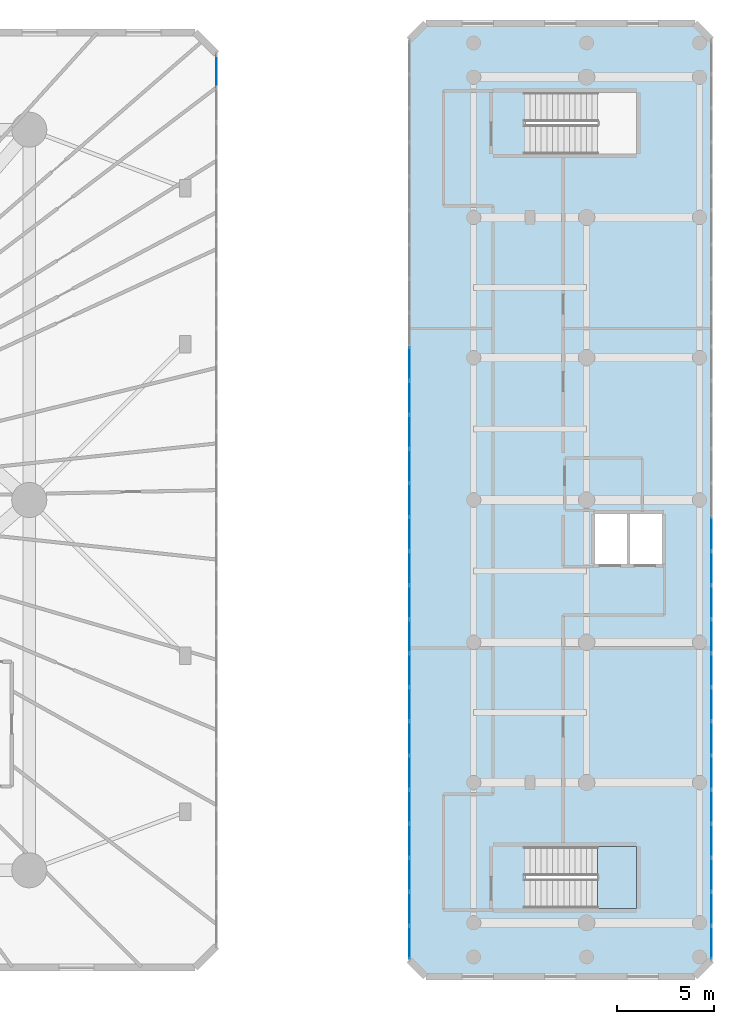
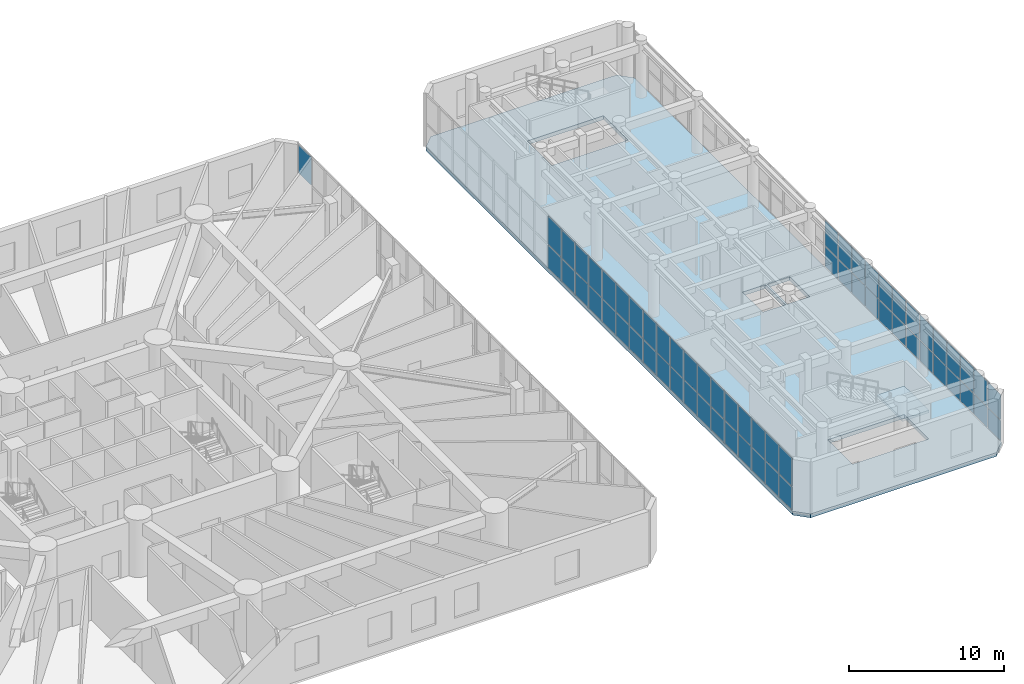
# One storey, part 11 of 26: 63 plates, 2 slabs, 4 elements without a shape of their own.
"""IFC4 building model written with IfcOpenShell, lengths in metres."""

from ifc_helpers import new_model, si_unit, direction, frame, origin, origin_with_axes, origin_2d, place, context, subcontext, project, spatial, polyline, rectangle, outline, extrude, source, transform, mapped, material, layer, layer_set, type_object, element, aggregate, save


model = new_model("IFC4")

# Units and contexts
model_context = context("Model", 3, precision=1e-05, world=origin(), true_north=direction((0.0, 1.0)))
body_context = subcontext(model_context, "Body", "Model", "MODEL_VIEW")
ifc_project = project(units=[si_unit("LENGTHUNIT", "METRE"), si_unit("AREAUNIT", "SQUARE_METRE"), si_unit("VOLUMEUNIT", "CUBIC_METRE"), si_unit("PLANEANGLEUNIT", "RADIAN"), si_unit("MASSUNIT", "GRAM", prefix="KILO")], contexts=[model_context])

# Site, building, storey
site_placement = place(None, origin())
site = spatial("IfcSite", under=ifc_project, at=site_placement, CompositionType="ELEMENT")
building_placement = place(site_placement, origin())
building = spatial("IfcBuilding", under=site, at=building_placement, Name="Karkom Vertical University and Central Library", CompositionType="ELEMENT")
storey_placement = place(building_placement, frame((0.0, 0.0, 4.5)))
storey = spatial("IfcBuildingStorey", under=building, at=storey_placement, Name="L01", CompositionType="ELEMENT", Elevation=4.5)

# Stair, slab
ifc_material_1 = material(Name="Concrete C45/55", Category="concrete")
stair_type = type_object("IfcStairType", Name="INT-STR-ST-LIB", PredefinedType="HALF_TURN_STAIR", material=ifc_material_1)
stair_placement = place(storey_placement, origin())
stair = element("IfcStair", 1, at=stair_placement, inside=storey, type_object=stair_type, Name="Level 01 Central Library South Exit Stair LIB-ST1", PredefinedType="HALF_TURN_STAIR")
ifc_layer_1 = layer(ifc_material_1, 0.199951171875)
ifc_layer_set_1 = layer_set([ifc_layer_1], Name="Concrete C45/55")
slab_type_1 = type_object("IfcSlabType", Name="INT-SLB-LANDING", PredefinedType="LANDING", material=ifc_layer_set_1)
slab_1_placement = place(storey_placement, frame((0.0, 0.0, 2.050048828125)))
slab_1 = element("IfcSlab", 2, at=slab_1_placement, type_object=slab_type_1, Name="LIB-ST1 landing 1", PredefinedType="LANDING", context=body_context, shape_type="SweptSolid", body=[
    extrude(outline(polyline([(75.969970703125, 5.550048828125), (77.949951171875, 5.550048828125), (77.949951171875, 8.7099609375), (75.969970703125, 8.7099609375), (75.969970703125, 5.550048828125)])), origin(), (0.0, 0.0, 1.0), 0.199951171875),
])
aggregate(stair, [slab_1])

# Slab
ifc_layer_2 = layer(ifc_material_1, 0.300048828125)
ifc_layer_set_2 = layer_set([ifc_layer_2], Name="Concrete C45/55")
slab_type_2 = type_object("IfcSlabType", Name="STR-SLB-FLR-300", PredefinedType="FLOOR", material=ifc_layer_set_2)
slab_2_placement = place(storey_placement, frame((0.0, 0.0, -0.300048828125)))
element("IfcSlab", 3, at=slab_2_placement, inside=storey, type_object=slab_type_2, Name="Level 01 Central Library Floor Slab", PredefinedType="FLOOR", context=body_context, shape_type="SweptSolid", body=[
    extrude(outline(polyline([(67.14990234375, 2.050048828125), (80.949951171875, 2.050048828125), (81.800048828125, 2.89990234375), (81.800048828125, 50.10009765625), (80.949951171875, 50.949951171875), (67.14990234375, 50.949951171875), (66.300048828125, 50.10009765625), (66.300048828125, 2.89990234375), (67.14990234375, 2.050048828125)]), holes=[polyline([(72.264892578125, 5.550048828125), (77.949951171875, 5.550048828125), (77.949951171875, 8.7099609375), (72.264892578125, 8.7099609375), (72.264892578125, 5.550048828125)]), polyline([(72.264892578125, 44.25), (77.949951171875, 44.25), (77.949951171875, 47.409912109375), (72.264892578125, 47.409912109375), (72.264892578125, 44.25)]), polyline([(75.800048828125, 23.199951171875), (77.47998046875, 23.199951171875), (77.47998046875, 25.800048828125), (75.800048828125, 25.800048828125), (75.800048828125, 23.199951171875)]), polyline([(77.6201171875, 23.199951171875), (79.300048828125, 23.199951171875), (79.300048828125, 25.800048828125), (77.6201171875, 25.800048828125), (77.6201171875, 23.199951171875)])]), origin(), (0.0, 0.0, 1.0), 0.300048828125),
])

# Curtain wall, plate
ifc_material_2 = material(Name="Aluminium curtain-wall framing and low-E IGU", Category="aluminium")
ifc_layer_3 = layer(ifc_material_2, 0.199951171875)
ifc_layer_set_3 = layer_set([ifc_layer_3], Name="Aluminium curtain-wall framing and low-E IGU")
curtain_wall_type_1 = type_object("IfcCurtainWallType", Name="ENV-CW-3", PredefinedType="USERDEFINED", material=ifc_layer_set_3)
curtain_wall_1_placement = place(storey_placement, origin())
curtain_wall_1 = element("IfcCurtainWall", 4, at=curtain_wall_1_placement, inside=storey, type_object=curtain_wall_type_1, Name="Level 01 CW-3 Curtain Wall Level 01-CW3-3-2", ObjectType="STICK MULLION GLAZING", PredefinedType="USERDEFINED")
ifc_material_3 = material(Name="Solar-control low-E double glazing 32mm", Category="glass")
ifc_layer_4 = layer(ifc_material_3, 0.031982421875)
ifc_layer_set_4 = layer_set([ifc_layer_4], Name="Solar-control low-E double glazing 32mm")
plate_type_1 = type_object("IfcPlateType", Name="ENV-PLT-GLZ-32", PredefinedType="CURTAIN_PANEL", material=ifc_layer_set_4)
shared_shape_1 = source(origin_with_axes(), body_context, "Body", "SweptSolid", [
    extrude(rectangle(XDim=1.64892578125, YDim=0.031982421875, at=origin_2d()), origin(), (0.0, 0.0, 1.0), 2.197509765625),
])
plate_1_placement = place(storey_placement, frame((56.39990234375, 48.50048828125, 1.927734375), z_axis=(0.0, 0.0, 1.0), x_axis=(0.0, 1.0, 0.0)))
plate_1 = element("IfcPlate", 5, at=plate_1_placement, type_object=plate_type_1, Name="CW-3 panel 13.2", PredefinedType="CURTAIN_PANEL", context=body_context, shape_type="MappedRepresentation", body=[
    mapped(shared_shape_1, transform((0.0, 0.0, 0.0), scale=1.0)),
])
aggregate(curtain_wall_1, [plate_1])

# Curtain wall, plates
ifc_layer_5 = layer(ifc_material_2, 0.199951171875)
ifc_layer_set_5 = layer_set([ifc_layer_5], Name="Aluminium curtain-wall framing and low-E IGU")
curtain_wall_type_2 = type_object("IfcCurtainWallType", Name="ENV-CW-1", PredefinedType="USERDEFINED", material=ifc_layer_set_5)
curtain_wall_2_placement = place(storey_placement, origin())
curtain_wall_2 = element("IfcCurtainWall", 6, at=curtain_wall_2_placement, inside=storey, type_object=curtain_wall_type_2, Name="Level 01 CW-1 Curtain Wall Level 01-CW-1-LIB-3", ObjectType="STICK MULLION GLAZING", PredefinedType="USERDEFINED")
ifc_material_4 = material(Name="Solar-control low-E double glazing 28mm", Category="glass")
ifc_layer_6 = layer(ifc_material_4, 0.028076171875)
ifc_layer_set_6 = layer_set([ifc_layer_6], Name="Solar-control low-E double glazing 28mm")
plate_type_2 = type_object("IfcPlateType", Name="ENV-PLT-GLZ-28", PredefinedType="CURTAIN_PANEL", material=ifc_layer_set_6)
shared_shape_2 = source(origin_with_axes(), body_context, "Body", "SweptSolid", [
    extrude(rectangle(XDim=1.64306640625, YDim=0.028076171875, at=origin_2d()), origin(), (0.0, 0.0, 1.0), 1.58251953125),
])
plate_2_placement = place(storey_placement, frame((81.800048828125, 3.79150390625, 0.070068359375), z_axis=(0.0, 0.0, 1.0), x_axis=(0.0, 1.0, 0.0)))
plate_2 = element("IfcPlate", 7, at=plate_2_placement, type_object=plate_type_2, Name="CW-1 panel 1.1", PredefinedType="CURTAIN_PANEL", context=body_context, shape_type="MappedRepresentation", body=[
    mapped(shared_shape_2, transform((0.0, 0.0, 0.0), scale=1.0)),
])
shared_shape_3 = source(origin_with_axes(), body_context, "Body", "SweptSolid", [
    extrude(rectangle(XDim=1.64306640625, YDim=0.028076171875, at=origin_2d()), origin(), (0.0, 0.0, 1.0), 1.95751953125),
])
plate_3_placement = place(storey_placement, frame((81.800048828125, 3.79150390625, 1.722412109375), z_axis=(0.0, 0.0, 1.0), x_axis=(0.0, 1.0, 0.0)))
plate_3 = element("IfcPlate", 8, at=plate_3_placement, type_object=plate_type_2, Name="CW-1 panel 1.2", PredefinedType="CURTAIN_PANEL", context=body_context, shape_type="MappedRepresentation", body=[
    mapped(shared_shape_3, transform((0.0, 0.0, 0.0), scale=1.0)),
])
shared_shape_4 = source(origin_with_axes(), body_context, "Body", "SweptSolid", [
    extrude(rectangle(XDim=1.67822265625, YDim=0.028076171875, at=origin_2d()), origin(), (0.0, 0.0, 1.0), 1.58251953125),
])
plate_4_placement = place(storey_placement, frame((81.800048828125, 5.522216796875, 0.070068359375), z_axis=(0.0, 0.0, 1.0), x_axis=(0.0, 1.0, 0.0)))
plate_4 = element("IfcPlate", 9, at=plate_4_placement, type_object=plate_type_2, Name="CW-1 panel 2.1", PredefinedType="CURTAIN_PANEL", context=body_context, shape_type="MappedRepresentation", body=[
    mapped(shared_shape_4, transform((0.0, 0.0, 0.0), scale=1.0)),
])
plate_5_placement = place(storey_placement, frame((81.800048828125, 7.270263671875, 0.070068359375), z_axis=(0.0, 0.0, 1.0), x_axis=(0.0, 1.0, 0.0)))
plate_5 = element("IfcPlate", 10, at=plate_5_placement, type_object=plate_type_2, Name="CW-1 panel 3.1", PredefinedType="CURTAIN_PANEL", context=body_context, shape_type="MappedRepresentation", body=[
    mapped(shared_shape_4, transform((0.0, 0.0, 0.0), scale=1.0)),
])
plate_6_placement = place(storey_placement, frame((81.800048828125, 9.0185546875, 0.070068359375), z_axis=(0.0, 0.0, 1.0), x_axis=(0.0, 1.0, 0.0)))
plate_6 = element("IfcPlate", 11, at=plate_6_placement, type_object=plate_type_2, Name="CW-1 panel 4.1", PredefinedType="CURTAIN_PANEL", context=body_context, shape_type="MappedRepresentation", body=[
    mapped(shared_shape_4, transform((0.0, 0.0, 0.0), scale=1.0)),
])
plate_7_placement = place(storey_placement, frame((81.800048828125, 10.7666015625, 0.070068359375), z_axis=(0.0, 0.0, 1.0), x_axis=(0.0, 1.0, 0.0)))
plate_7 = element("IfcPlate", 12, at=plate_7_placement, type_object=plate_type_2, Name="CW-1 panel 5.1", PredefinedType="CURTAIN_PANEL", context=body_context, shape_type="MappedRepresentation", body=[
    mapped(shared_shape_4, transform((0.0, 0.0, 0.0), scale=1.0)),
])
plate_8_placement = place(storey_placement, frame((81.800048828125, 12.514892578125, 0.070068359375), z_axis=(0.0, 0.0, 1.0), x_axis=(0.0, 1.0, 0.0)))
plate_8 = element("IfcPlate", 13, at=plate_8_placement, type_object=plate_type_2, Name="CW-1 panel 6.1", PredefinedType="CURTAIN_PANEL", context=body_context, shape_type="MappedRepresentation", body=[
    mapped(shared_shape_4, transform((0.0, 0.0, 0.0), scale=1.0)),
])
plate_9_placement = place(storey_placement, frame((81.800048828125, 14.262939453125, 0.070068359375), z_axis=(0.0, 0.0, 1.0), x_axis=(0.0, 1.0, 0.0)))
plate_9 = element("IfcPlate", 14, at=plate_9_placement, type_object=plate_type_2, Name="CW-1 panel 7.1", PredefinedType="CURTAIN_PANEL", context=body_context, shape_type="MappedRepresentation", body=[
    mapped(shared_shape_4, transform((0.0, 0.0, 0.0), scale=1.0)),
])
plate_10_placement = place(storey_placement, frame((81.800048828125, 16.01123046875, 0.070068359375), z_axis=(0.0, 0.0, 1.0), x_axis=(0.0, 1.0, 0.0)))
plate_10 = element("IfcPlate", 15, at=plate_10_placement, type_object=plate_type_2, Name="CW-1 panel 8.1", PredefinedType="CURTAIN_PANEL", context=body_context, shape_type="MappedRepresentation", body=[
    mapped(shared_shape_4, transform((0.0, 0.0, 0.0), scale=1.0)),
])
plate_11_placement = place(storey_placement, frame((81.800048828125, 17.75927734375, 0.070068359375), z_axis=(0.0, 0.0, 1.0), x_axis=(0.0, 1.0, 0.0)))
plate_11 = element("IfcPlate", 16, at=plate_11_placement, type_object=plate_type_2, Name="CW-1 panel 9.1", PredefinedType="CURTAIN_PANEL", context=body_context, shape_type="MappedRepresentation", body=[
    mapped(shared_shape_4, transform((0.0, 0.0, 0.0), scale=1.0)),
])
plate_12_placement = place(storey_placement, frame((81.800048828125, 19.50732421875, 0.070068359375), z_axis=(0.0, 0.0, 1.0), x_axis=(0.0, 1.0, 0.0)))
plate_12 = element("IfcPlate", 17, at=plate_12_placement, type_object=plate_type_2, Name="CW-1 panel 10.1", PredefinedType="CURTAIN_PANEL", context=body_context, shape_type="MappedRepresentation", body=[
    mapped(shared_shape_4, transform((0.0, 0.0, 0.0), scale=1.0)),
])
plate_13_placement = place(storey_placement, frame((81.800048828125, 21.255615234375, 0.070068359375), z_axis=(0.0, 0.0, 1.0), x_axis=(0.0, 1.0, 0.0)))
plate_13 = element("IfcPlate", 18, at=plate_13_placement, type_object=plate_type_2, Name="CW-1 panel 11.1", PredefinedType="CURTAIN_PANEL", context=body_context, shape_type="MappedRepresentation", body=[
    mapped(shared_shape_4, transform((0.0, 0.0, 0.0), scale=1.0)),
])
plate_14_placement = place(storey_placement, frame((81.800048828125, 23.003662109375, 0.070068359375), z_axis=(0.0, 0.0, 1.0), x_axis=(0.0, 1.0, 0.0)))
plate_14 = element("IfcPlate", 19, at=plate_14_placement, type_object=plate_type_2, Name="CW-1 panel 12.1", PredefinedType="CURTAIN_PANEL", context=body_context, shape_type="MappedRepresentation", body=[
    mapped(shared_shape_4, transform((0.0, 0.0, 0.0), scale=1.0)),
])
plate_15_placement = place(storey_placement, frame((81.800048828125, 24.751953125, 0.070068359375), z_axis=(0.0, 0.0, 1.0), x_axis=(0.0, 1.0, 0.0)))
plate_15 = element("IfcPlate", 20, at=plate_15_placement, type_object=plate_type_2, Name="CW-1 panel 13.1", PredefinedType="CURTAIN_PANEL", context=body_context, shape_type="MappedRepresentation", body=[
    mapped(shared_shape_4, transform((0.0, 0.0, 0.0), scale=1.0)),
])
shared_shape_5 = source(origin_with_axes(), body_context, "Body", "SweptSolid", [
    extrude(rectangle(XDim=1.67822265625, YDim=0.028076171875, at=origin_2d()), origin(), (0.0, 0.0, 1.0), 1.95751953125),
])
plate_16_placement = place(storey_placement, frame((81.800048828125, 5.522216796875, 1.722412109375), z_axis=(0.0, 0.0, 1.0), x_axis=(0.0, 1.0, 0.0)))
plate_16 = element("IfcPlate", 21, at=plate_16_placement, type_object=plate_type_2, Name="CW-1 panel 2.2", PredefinedType="CURTAIN_PANEL", context=body_context, shape_type="MappedRepresentation", body=[
    mapped(shared_shape_5, transform((0.0, 0.0, 0.0), scale=1.0)),
])
plate_17_placement = place(storey_placement, frame((81.800048828125, 7.270263671875, 1.722412109375), z_axis=(0.0, 0.0, 1.0), x_axis=(0.0, 1.0, 0.0)))
plate_17 = element("IfcPlate", 22, at=plate_17_placement, type_object=plate_type_2, Name="CW-1 panel 3.2", PredefinedType="CURTAIN_PANEL", context=body_context, shape_type="MappedRepresentation", body=[
    mapped(shared_shape_5, transform((0.0, 0.0, 0.0), scale=1.0)),
])
plate_18_placement = place(storey_placement, frame((81.800048828125, 9.0185546875, 1.722412109375), z_axis=(0.0, 0.0, 1.0), x_axis=(0.0, 1.0, 0.0)))
plate_18 = element("IfcPlate", 23, at=plate_18_placement, type_object=plate_type_2, Name="CW-1 panel 4.2", PredefinedType="CURTAIN_PANEL", context=body_context, shape_type="MappedRepresentation", body=[
    mapped(shared_shape_5, transform((0.0, 0.0, 0.0), scale=1.0)),
])
plate_19_placement = place(storey_placement, frame((81.800048828125, 10.7666015625, 1.722412109375), z_axis=(0.0, 0.0, 1.0), x_axis=(0.0, 1.0, 0.0)))
plate_19 = element("IfcPlate", 24, at=plate_19_placement, type_object=plate_type_2, Name="CW-1 panel 5.2", PredefinedType="CURTAIN_PANEL", context=body_context, shape_type="MappedRepresentation", body=[
    mapped(shared_shape_5, transform((0.0, 0.0, 0.0), scale=1.0)),
])
plate_20_placement = place(storey_placement, frame((81.800048828125, 12.514892578125, 1.722412109375), z_axis=(0.0, 0.0, 1.0), x_axis=(0.0, 1.0, 0.0)))
plate_20 = element("IfcPlate", 25, at=plate_20_placement, type_object=plate_type_2, Name="CW-1 panel 6.2", PredefinedType="CURTAIN_PANEL", context=body_context, shape_type="MappedRepresentation", body=[
    mapped(shared_shape_5, transform((0.0, 0.0, 0.0), scale=1.0)),
])
plate_21_placement = place(storey_placement, frame((81.800048828125, 14.262939453125, 1.722412109375), z_axis=(0.0, 0.0, 1.0), x_axis=(0.0, 1.0, 0.0)))
plate_21 = element("IfcPlate", 26, at=plate_21_placement, type_object=plate_type_2, Name="CW-1 panel 7.2", PredefinedType="CURTAIN_PANEL", context=body_context, shape_type="MappedRepresentation", body=[
    mapped(shared_shape_5, transform((0.0, 0.0, 0.0), scale=1.0)),
])
plate_22_placement = place(storey_placement, frame((81.800048828125, 16.01123046875, 1.722412109375), z_axis=(0.0, 0.0, 1.0), x_axis=(0.0, 1.0, 0.0)))
plate_22 = element("IfcPlate", 27, at=plate_22_placement, type_object=plate_type_2, Name="CW-1 panel 8.2", PredefinedType="CURTAIN_PANEL", context=body_context, shape_type="MappedRepresentation", body=[
    mapped(shared_shape_5, transform((0.0, 0.0, 0.0), scale=1.0)),
])
plate_23_placement = place(storey_placement, frame((81.800048828125, 17.75927734375, 1.722412109375), z_axis=(0.0, 0.0, 1.0), x_axis=(0.0, 1.0, 0.0)))
plate_23 = element("IfcPlate", 28, at=plate_23_placement, type_object=plate_type_2, Name="CW-1 panel 9.2", PredefinedType="CURTAIN_PANEL", context=body_context, shape_type="MappedRepresentation", body=[
    mapped(shared_shape_5, transform((0.0, 0.0, 0.0), scale=1.0)),
])
plate_24_placement = place(storey_placement, frame((81.800048828125, 19.50732421875, 1.722412109375), z_axis=(0.0, 0.0, 1.0), x_axis=(0.0, 1.0, 0.0)))
plate_24 = element("IfcPlate", 29, at=plate_24_placement, type_object=plate_type_2, Name="CW-1 panel 10.2", PredefinedType="CURTAIN_PANEL", context=body_context, shape_type="MappedRepresentation", body=[
    mapped(shared_shape_5, transform((0.0, 0.0, 0.0), scale=1.0)),
])
plate_25_placement = place(storey_placement, frame((81.800048828125, 21.255615234375, 1.722412109375), z_axis=(0.0, 0.0, 1.0), x_axis=(0.0, 1.0, 0.0)))
plate_25 = element("IfcPlate", 30, at=plate_25_placement, type_object=plate_type_2, Name="CW-1 panel 11.2", PredefinedType="CURTAIN_PANEL", context=body_context, shape_type="MappedRepresentation", body=[
    mapped(shared_shape_5, transform((0.0, 0.0, 0.0), scale=1.0)),
])
plate_26_placement = place(storey_placement, frame((81.800048828125, 23.003662109375, 1.722412109375), z_axis=(0.0, 0.0, 1.0), x_axis=(0.0, 1.0, 0.0)))
plate_26 = element("IfcPlate", 31, at=plate_26_placement, type_object=plate_type_2, Name="CW-1 panel 12.2", PredefinedType="CURTAIN_PANEL", context=body_context, shape_type="MappedRepresentation", body=[
    mapped(shared_shape_5, transform((0.0, 0.0, 0.0), scale=1.0)),
])
plate_27_placement = place(storey_placement, frame((81.800048828125, 24.751953125, 1.722412109375), z_axis=(0.0, 0.0, 1.0), x_axis=(0.0, 1.0, 0.0)))
plate_27 = element("IfcPlate", 32, at=plate_27_placement, type_object=plate_type_2, Name="CW-1 panel 13.2", PredefinedType="CURTAIN_PANEL", context=body_context, shape_type="MappedRepresentation", body=[
    mapped(shared_shape_5, transform((0.0, 0.0, 0.0), scale=1.0)),
])
aggregate(curtain_wall_2, [plate_2, plate_3, plate_4, plate_16, plate_5, plate_17, plate_6, plate_18, plate_7, plate_19, plate_8, plate_20, plate_9, plate_21, plate_10, plate_22, plate_11, plate_23, plate_12, plate_24, plate_13, plate_25, plate_14, plate_26, plate_15, plate_27])

curtain_wall_3_placement = place(storey_placement, origin())
curtain_wall_3 = element("IfcCurtainWall", 33, at=curtain_wall_3_placement, inside=storey, type_object=curtain_wall_type_2, Name="Level 01 CW-1 Curtain Wall Level 01-CW-1-LIB-7", ObjectType="STICK MULLION GLAZING", PredefinedType="USERDEFINED")
shared_shape_6 = source(origin_with_axes(), body_context, "Body", "SweptSolid", [
    extrude(rectangle(XDim=1.64306640625, YDim=0.028076171875, at=origin_2d()), origin(), (0.0, 0.0, 1.0), 1.784912109375),
])
plate_28_placement = place(storey_placement, frame((66.300048828125, 3.79150390625, 0.06982421875), z_axis=(0.0, 0.0, 1.0), x_axis=(0.0, -1.0, 0.0)))
plate_28 = element("IfcPlate", 34, at=plate_28_placement, type_object=plate_type_2, Name="CW-1 panel 27.1", PredefinedType="CURTAIN_PANEL", context=body_context, shape_type="MappedRepresentation", body=[
    mapped(shared_shape_6, transform((0.0, 0.0, 0.0), scale=1.0)),
])
shared_shape_7 = source(origin_with_axes(), body_context, "Body", "SweptSolid", [
    extrude(rectangle(XDim=1.64306640625, YDim=0.028076171875, at=origin_2d()), origin(), (0.0, 0.0, 1.0), 2.205078125),
])
plate_29_placement = place(storey_placement, frame((66.300048828125, 3.79150390625, 1.925048828125), z_axis=(0.0, 0.0, 1.0), x_axis=(0.0, -1.0, 0.0)))
plate_29 = element("IfcPlate", 35, at=plate_29_placement, type_object=plate_type_2, Name="CW-1 panel 27.2", PredefinedType="CURTAIN_PANEL", context=body_context, shape_type="MappedRepresentation", body=[
    mapped(shared_shape_7, transform((0.0, 0.0, 0.0), scale=1.0)),
])
shared_shape_8 = source(origin_with_axes(), body_context, "Body", "SweptSolid", [
    extrude(rectangle(XDim=1.67822265625, YDim=0.028076171875, at=origin_2d()), origin(), (0.0, 0.0, 1.0), 1.784912109375),
])
plate_30_placement = place(storey_placement, frame((66.300048828125, 33.49267578125, 0.06982421875), z_axis=(0.0, 0.0, 1.0), x_axis=(0.0, -1.0, 0.0)))
plate_30 = element("IfcPlate", 36, at=plate_30_placement, type_object=plate_type_2, Name="CW-1 panel 10.1", PredefinedType="CURTAIN_PANEL", context=body_context, shape_type="MappedRepresentation", body=[
    mapped(shared_shape_8, transform((0.0, 0.0, 0.0), scale=1.0)),
])
plate_31_placement = place(storey_placement, frame((66.300048828125, 31.744384765625, 0.06982421875), z_axis=(0.0, 0.0, 1.0), x_axis=(0.0, -1.0, 0.0)))
plate_31 = element("IfcPlate", 37, at=plate_31_placement, type_object=plate_type_2, Name="CW-1 panel 11.1", PredefinedType="CURTAIN_PANEL", context=body_context, shape_type="MappedRepresentation", body=[
    mapped(shared_shape_8, transform((0.0, 0.0, 0.0), scale=1.0)),
])
plate_32_placement = place(storey_placement, frame((66.300048828125, 29.996337890625, 0.06982421875), z_axis=(0.0, 0.0, 1.0), x_axis=(0.0, -1.0, 0.0)))
plate_32 = element("IfcPlate", 38, at=plate_32_placement, type_object=plate_type_2, Name="CW-1 panel 12.1", PredefinedType="CURTAIN_PANEL", context=body_context, shape_type="MappedRepresentation", body=[
    mapped(shared_shape_8, transform((0.0, 0.0, 0.0), scale=1.0)),
])
plate_33_placement = place(storey_placement, frame((66.300048828125, 28.248046875, 0.06982421875), z_axis=(0.0, 0.0, 1.0), x_axis=(0.0, -1.0, 0.0)))
plate_33 = element("IfcPlate", 39, at=plate_33_placement, type_object=plate_type_2, Name="CW-1 panel 13.1", PredefinedType="CURTAIN_PANEL", context=body_context, shape_type="MappedRepresentation", body=[
    mapped(shared_shape_8, transform((0.0, 0.0, 0.0), scale=1.0)),
])
plate_34_placement = place(storey_placement, frame((66.300048828125, 26.5, 0.06982421875), z_axis=(0.0, 0.0, 1.0), x_axis=(0.0, -1.0, 0.0)))
plate_34 = element("IfcPlate", 40, at=plate_34_placement, type_object=plate_type_2, Name="CW-1 panel 14.1", PredefinedType="CURTAIN_PANEL", context=body_context, shape_type="MappedRepresentation", body=[
    mapped(shared_shape_8, transform((0.0, 0.0, 0.0), scale=1.0)),
])
plate_35_placement = place(storey_placement, frame((66.300048828125, 24.751953125, 0.06982421875), z_axis=(0.0, 0.0, 1.0), x_axis=(0.0, -1.0, 0.0)))
plate_35 = element("IfcPlate", 41, at=plate_35_placement, type_object=plate_type_2, Name="CW-1 panel 15.1", PredefinedType="CURTAIN_PANEL", context=body_context, shape_type="MappedRepresentation", body=[
    mapped(shared_shape_8, transform((0.0, 0.0, 0.0), scale=1.0)),
])
plate_36_placement = place(storey_placement, frame((66.300048828125, 23.003662109375, 0.06982421875), z_axis=(0.0, 0.0, 1.0), x_axis=(0.0, -1.0, 0.0)))
plate_36 = element("IfcPlate", 42, at=plate_36_placement, type_object=plate_type_2, Name="CW-1 panel 16.1", PredefinedType="CURTAIN_PANEL", context=body_context, shape_type="MappedRepresentation", body=[
    mapped(shared_shape_8, transform((0.0, 0.0, 0.0), scale=1.0)),
])
plate_37_placement = place(storey_placement, frame((66.300048828125, 21.255615234375, 0.06982421875), z_axis=(0.0, 0.0, 1.0), x_axis=(0.0, -1.0, 0.0)))
plate_37 = element("IfcPlate", 43, at=plate_37_placement, type_object=plate_type_2, Name="CW-1 panel 17.1", PredefinedType="CURTAIN_PANEL", context=body_context, shape_type="MappedRepresentation", body=[
    mapped(shared_shape_8, transform((0.0, 0.0, 0.0), scale=1.0)),
])
plate_38_placement = place(storey_placement, frame((66.300048828125, 19.50732421875, 0.06982421875), z_axis=(0.0, 0.0, 1.0), x_axis=(0.0, -1.0, 0.0)))
plate_38 = element("IfcPlate", 44, at=plate_38_placement, type_object=plate_type_2, Name="CW-1 panel 18.1", PredefinedType="CURTAIN_PANEL", context=body_context, shape_type="MappedRepresentation", body=[
    mapped(shared_shape_8, transform((0.0, 0.0, 0.0), scale=1.0)),
])
plate_39_placement = place(storey_placement, frame((66.300048828125, 17.75927734375, 0.06982421875), z_axis=(0.0, 0.0, 1.0), x_axis=(0.0, -1.0, 0.0)))
plate_39 = element("IfcPlate", 45, at=plate_39_placement, type_object=plate_type_2, Name="CW-1 panel 19.1", PredefinedType="CURTAIN_PANEL", context=body_context, shape_type="MappedRepresentation", body=[
    mapped(shared_shape_8, transform((0.0, 0.0, 0.0), scale=1.0)),
])
plate_40_placement = place(storey_placement, frame((66.300048828125, 16.01123046875, 0.06982421875), z_axis=(0.0, 0.0, 1.0), x_axis=(0.0, -1.0, 0.0)))
plate_40 = element("IfcPlate", 46, at=plate_40_placement, type_object=plate_type_2, Name="CW-1 panel 20.1", PredefinedType="CURTAIN_PANEL", context=body_context, shape_type="MappedRepresentation", body=[
    mapped(shared_shape_8, transform((0.0, 0.0, 0.0), scale=1.0)),
])
plate_41_placement = place(storey_placement, frame((66.300048828125, 14.262939453125, 0.06982421875), z_axis=(0.0, 0.0, 1.0), x_axis=(0.0, -1.0, 0.0)))
plate_41 = element("IfcPlate", 47, at=plate_41_placement, type_object=plate_type_2, Name="CW-1 panel 21.1", PredefinedType="CURTAIN_PANEL", context=body_context, shape_type="MappedRepresentation", body=[
    mapped(shared_shape_8, transform((0.0, 0.0, 0.0), scale=1.0)),
])
plate_42_placement = place(storey_placement, frame((66.300048828125, 12.514892578125, 0.06982421875), z_axis=(0.0, 0.0, 1.0), x_axis=(0.0, -1.0, 0.0)))
plate_42 = element("IfcPlate", 48, at=plate_42_placement, type_object=plate_type_2, Name="CW-1 panel 22.1", PredefinedType="CURTAIN_PANEL", context=body_context, shape_type="MappedRepresentation", body=[
    mapped(shared_shape_8, transform((0.0, 0.0, 0.0), scale=1.0)),
])
plate_43_placement = place(storey_placement, frame((66.300048828125, 10.7666015625, 0.06982421875), z_axis=(0.0, 0.0, 1.0), x_axis=(0.0, -1.0, 0.0)))
plate_43 = element("IfcPlate", 49, at=plate_43_placement, type_object=plate_type_2, Name="CW-1 panel 23.1", PredefinedType="CURTAIN_PANEL", context=body_context, shape_type="MappedRepresentation", body=[
    mapped(shared_shape_8, transform((0.0, 0.0, 0.0), scale=1.0)),
])
plate_44_placement = place(storey_placement, frame((66.300048828125, 9.0185546875, 0.06982421875), z_axis=(0.0, 0.0, 1.0), x_axis=(0.0, -1.0, 0.0)))
plate_44 = element("IfcPlate", 50, at=plate_44_placement, type_object=plate_type_2, Name="CW-1 panel 24.1", PredefinedType="CURTAIN_PANEL", context=body_context, shape_type="MappedRepresentation", body=[
    mapped(shared_shape_8, transform((0.0, 0.0, 0.0), scale=1.0)),
])
plate_45_placement = place(storey_placement, frame((66.300048828125, 7.270263671875, 0.06982421875), z_axis=(0.0, 0.0, 1.0), x_axis=(0.0, -1.0, 0.0)))
plate_45 = element("IfcPlate", 51, at=plate_45_placement, type_object=plate_type_2, Name="CW-1 panel 25.1", PredefinedType="CURTAIN_PANEL", context=body_context, shape_type="MappedRepresentation", body=[
    mapped(shared_shape_8, transform((0.0, 0.0, 0.0), scale=1.0)),
])
plate_46_placement = place(storey_placement, frame((66.300048828125, 5.522216796875, 0.06982421875), z_axis=(0.0, 0.0, 1.0), x_axis=(0.0, -1.0, 0.0)))
plate_46 = element("IfcPlate", 52, at=plate_46_placement, type_object=plate_type_2, Name="CW-1 panel 26.1", PredefinedType="CURTAIN_PANEL", context=body_context, shape_type="MappedRepresentation", body=[
    mapped(shared_shape_8, transform((0.0, 0.0, 0.0), scale=1.0)),
])
shared_shape_9 = source(origin_with_axes(), body_context, "Body", "SweptSolid", [
    extrude(rectangle(XDim=1.67822265625, YDim=0.028076171875, at=origin_2d()), origin(), (0.0, 0.0, 1.0), 2.205078125),
])
plate_47_placement = place(storey_placement, frame((66.300048828125, 33.49267578125, 1.925048828125), z_axis=(0.0, 0.0, 1.0), x_axis=(0.0, -1.0, 0.0)))
plate_47 = element("IfcPlate", 53, at=plate_47_placement, type_object=plate_type_2, Name="CW-1 panel 10.2", PredefinedType="CURTAIN_PANEL", context=body_context, shape_type="MappedRepresentation", body=[
    mapped(shared_shape_9, transform((0.0, 0.0, 0.0), scale=1.0)),
])
plate_48_placement = place(storey_placement, frame((66.300048828125, 31.744384765625, 1.925048828125), z_axis=(0.0, 0.0, 1.0), x_axis=(0.0, -1.0, 0.0)))
plate_48 = element("IfcPlate", 54, at=plate_48_placement, type_object=plate_type_2, Name="CW-1 panel 11.2", PredefinedType="CURTAIN_PANEL", context=body_context, shape_type="MappedRepresentation", body=[
    mapped(shared_shape_9, transform((0.0, 0.0, 0.0), scale=1.0)),
])
plate_49_placement = place(storey_placement, frame((66.300048828125, 29.996337890625, 1.925048828125), z_axis=(0.0, 0.0, 1.0), x_axis=(0.0, -1.0, 0.0)))
plate_49 = element("IfcPlate", 55, at=plate_49_placement, type_object=plate_type_2, Name="CW-1 panel 12.2", PredefinedType="CURTAIN_PANEL", context=body_context, shape_type="MappedRepresentation", body=[
    mapped(shared_shape_9, transform((0.0, 0.0, 0.0), scale=1.0)),
])
plate_50_placement = place(storey_placement, frame((66.300048828125, 28.248046875, 1.925048828125), z_axis=(0.0, 0.0, 1.0), x_axis=(0.0, -1.0, 0.0)))
plate_50 = element("IfcPlate", 56, at=plate_50_placement, type_object=plate_type_2, Name="CW-1 panel 13.2", PredefinedType="CURTAIN_PANEL", context=body_context, shape_type="MappedRepresentation", body=[
    mapped(shared_shape_9, transform((0.0, 0.0, 0.0), scale=1.0)),
])
plate_51_placement = place(storey_placement, frame((66.300048828125, 26.5, 1.925048828125), z_axis=(0.0, 0.0, 1.0), x_axis=(0.0, -1.0, 0.0)))
plate_51 = element("IfcPlate", 57, at=plate_51_placement, type_object=plate_type_2, Name="CW-1 panel 14.2", PredefinedType="CURTAIN_PANEL", context=body_context, shape_type="MappedRepresentation", body=[
    mapped(shared_shape_9, transform((0.0, 0.0, 0.0), scale=1.0)),
])
plate_52_placement = place(storey_placement, frame((66.300048828125, 24.751953125, 1.925048828125), z_axis=(0.0, 0.0, 1.0), x_axis=(0.0, -1.0, 0.0)))
plate_52 = element("IfcPlate", 58, at=plate_52_placement, type_object=plate_type_2, Name="CW-1 panel 15.2", PredefinedType="CURTAIN_PANEL", context=body_context, shape_type="MappedRepresentation", body=[
    mapped(shared_shape_9, transform((0.0, 0.0, 0.0), scale=1.0)),
])
plate_53_placement = place(storey_placement, frame((66.300048828125, 23.003662109375, 1.925048828125), z_axis=(0.0, 0.0, 1.0), x_axis=(0.0, -1.0, 0.0)))
plate_53 = element("IfcPlate", 59, at=plate_53_placement, type_object=plate_type_2, Name="CW-1 panel 16.2", PredefinedType="CURTAIN_PANEL", context=body_context, shape_type="MappedRepresentation", body=[
    mapped(shared_shape_9, transform((0.0, 0.0, 0.0), scale=1.0)),
])
plate_54_placement = place(storey_placement, frame((66.300048828125, 21.255615234375, 1.925048828125), z_axis=(0.0, 0.0, 1.0), x_axis=(0.0, -1.0, 0.0)))
plate_54 = element("IfcPlate", 60, at=plate_54_placement, type_object=plate_type_2, Name="CW-1 panel 17.2", PredefinedType="CURTAIN_PANEL", context=body_context, shape_type="MappedRepresentation", body=[
    mapped(shared_shape_9, transform((0.0, 0.0, 0.0), scale=1.0)),
])
plate_55_placement = place(storey_placement, frame((66.300048828125, 19.50732421875, 1.925048828125), z_axis=(0.0, 0.0, 1.0), x_axis=(0.0, -1.0, 0.0)))
plate_55 = element("IfcPlate", 61, at=plate_55_placement, type_object=plate_type_2, Name="CW-1 panel 18.2", PredefinedType="CURTAIN_PANEL", context=body_context, shape_type="MappedRepresentation", body=[
    mapped(shared_shape_9, transform((0.0, 0.0, 0.0), scale=1.0)),
])
plate_56_placement = place(storey_placement, frame((66.300048828125, 17.75927734375, 1.925048828125), z_axis=(0.0, 0.0, 1.0), x_axis=(0.0, -1.0, 0.0)))
plate_56 = element("IfcPlate", 62, at=plate_56_placement, type_object=plate_type_2, Name="CW-1 panel 19.2", PredefinedType="CURTAIN_PANEL", context=body_context, shape_type="MappedRepresentation", body=[
    mapped(shared_shape_9, transform((0.0, 0.0, 0.0), scale=1.0)),
])
plate_57_placement = place(storey_placement, frame((66.300048828125, 16.01123046875, 1.925048828125), z_axis=(0.0, 0.0, 1.0), x_axis=(0.0, -1.0, 0.0)))
plate_57 = element("IfcPlate", 63, at=plate_57_placement, type_object=plate_type_2, Name="CW-1 panel 20.2", PredefinedType="CURTAIN_PANEL", context=body_context, shape_type="MappedRepresentation", body=[
    mapped(shared_shape_9, transform((0.0, 0.0, 0.0), scale=1.0)),
])
plate_58_placement = place(storey_placement, frame((66.300048828125, 14.262939453125, 1.925048828125), z_axis=(0.0, 0.0, 1.0), x_axis=(0.0, -1.0, 0.0)))
plate_58 = element("IfcPlate", 64, at=plate_58_placement, type_object=plate_type_2, Name="CW-1 panel 21.2", PredefinedType="CURTAIN_PANEL", context=body_context, shape_type="MappedRepresentation", body=[
    mapped(shared_shape_9, transform((0.0, 0.0, 0.0), scale=1.0)),
])
plate_59_placement = place(storey_placement, frame((66.300048828125, 12.514892578125, 1.925048828125), z_axis=(0.0, 0.0, 1.0), x_axis=(0.0, -1.0, 0.0)))
plate_59 = element("IfcPlate", 65, at=plate_59_placement, type_object=plate_type_2, Name="CW-1 panel 22.2", PredefinedType="CURTAIN_PANEL", context=body_context, shape_type="MappedRepresentation", body=[
    mapped(shared_shape_9, transform((0.0, 0.0, 0.0), scale=1.0)),
])
plate_60_placement = place(storey_placement, frame((66.300048828125, 10.7666015625, 1.925048828125), z_axis=(0.0, 0.0, 1.0), x_axis=(0.0, -1.0, 0.0)))
plate_60 = element("IfcPlate", 66, at=plate_60_placement, type_object=plate_type_2, Name="CW-1 panel 23.2", PredefinedType="CURTAIN_PANEL", context=body_context, shape_type="MappedRepresentation", body=[
    mapped(shared_shape_9, transform((0.0, 0.0, 0.0), scale=1.0)),
])
plate_61_placement = place(storey_placement, frame((66.300048828125, 9.0185546875, 1.925048828125), z_axis=(0.0, 0.0, 1.0), x_axis=(0.0, -1.0, 0.0)))
plate_61 = element("IfcPlate", 67, at=plate_61_placement, type_object=plate_type_2, Name="CW-1 panel 24.2", PredefinedType="CURTAIN_PANEL", context=body_context, shape_type="MappedRepresentation", body=[
    mapped(shared_shape_9, transform((0.0, 0.0, 0.0), scale=1.0)),
])
plate_62_placement = place(storey_placement, frame((66.300048828125, 7.270263671875, 1.925048828125), z_axis=(0.0, 0.0, 1.0), x_axis=(0.0, -1.0, 0.0)))
plate_62 = element("IfcPlate", 68, at=plate_62_placement, type_object=plate_type_2, Name="CW-1 panel 25.2", PredefinedType="CURTAIN_PANEL", context=body_context, shape_type="MappedRepresentation", body=[
    mapped(shared_shape_9, transform((0.0, 0.0, 0.0), scale=1.0)),
])
plate_63_placement = place(storey_placement, frame((66.300048828125, 5.522216796875, 1.925048828125), z_axis=(0.0, 0.0, 1.0), x_axis=(0.0, -1.0, 0.0)))
plate_63 = element("IfcPlate", 69, at=plate_63_placement, type_object=plate_type_2, Name="CW-1 panel 26.2", PredefinedType="CURTAIN_PANEL", context=body_context, shape_type="MappedRepresentation", body=[
    mapped(shared_shape_9, transform((0.0, 0.0, 0.0), scale=1.0)),
])
aggregate(curtain_wall_3, [plate_30, plate_47, plate_31, plate_48, plate_32, plate_49, plate_33, plate_50, plate_34, plate_51, plate_35, plate_52, plate_36, plate_53, plate_37, plate_54, plate_38, plate_55, plate_39, plate_56, plate_40, plate_57, plate_41, plate_58, plate_42, plate_59, plate_43, plate_60, plate_44, plate_61, plate_45, plate_62, plate_46, plate_63, plate_28, plate_29])

save(model, "model.ifc")
